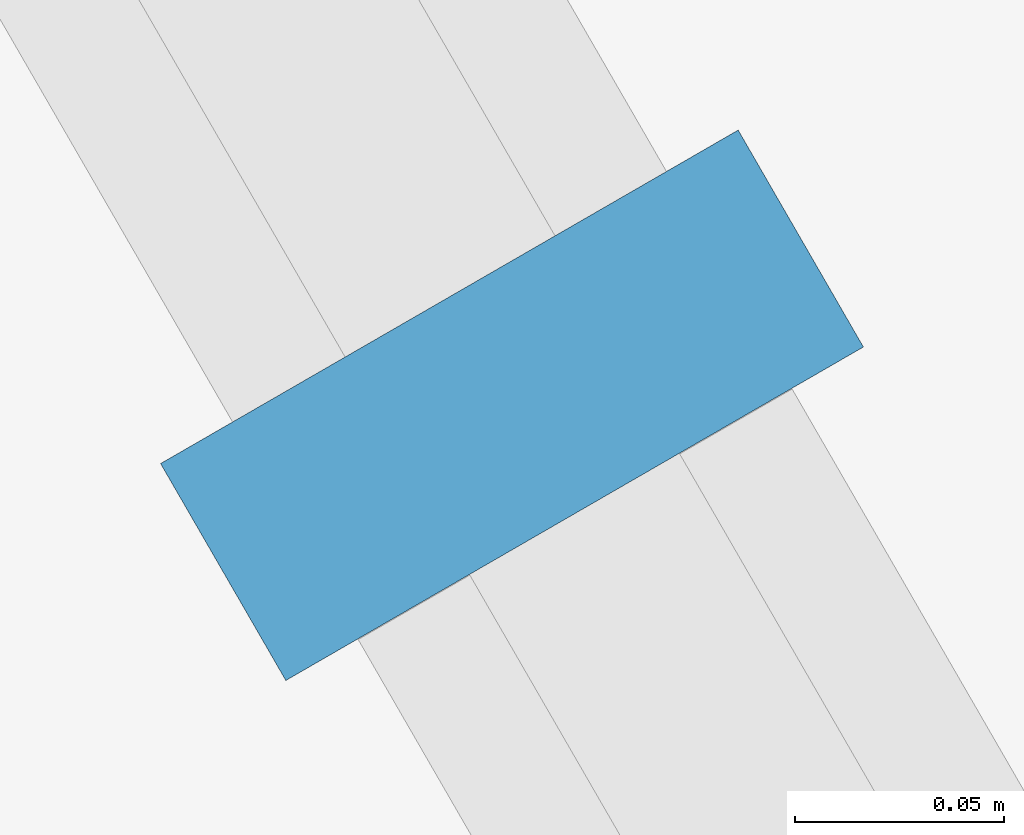
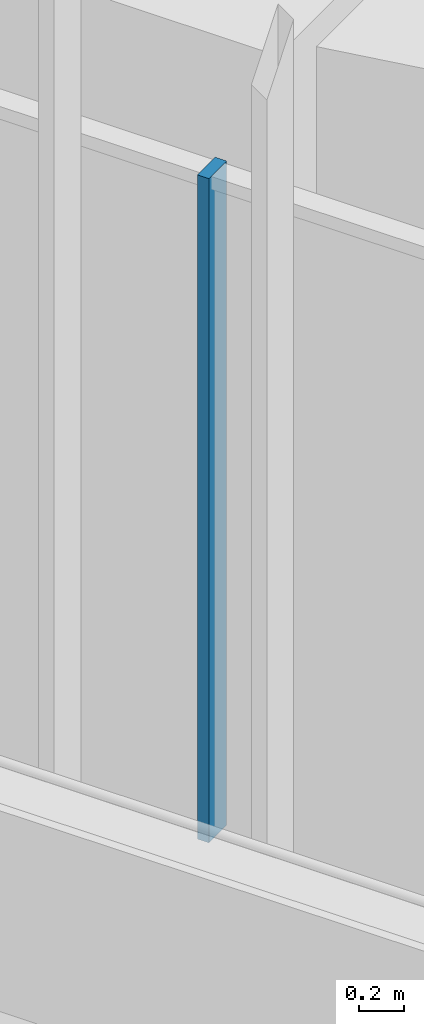
# One storey, part 11 of 127: 1 member, 1 element without a shape of its own.
"""IFC4 building model written with IfcOpenShell, lengths in metres."""

from ifc_helpers import new_model, si_unit, direction, frame, origin, origin_2d, place, context, subcontext, project, spatial, rectangle, extrude, material, material_profile, profile_set, type_object, element, aggregate, save


model = new_model("IFC4")

# Units and contexts
model_context = context("Model", 3, precision=1e-05, world=origin(), true_north=direction((0.0, 1.0)))
body_context = subcontext(model_context, "Body", "Model", "MODEL_VIEW")
ifc_project = project(units=[si_unit("LENGTHUNIT", "METRE"), si_unit("AREAUNIT", "SQUARE_METRE"), si_unit("VOLUMEUNIT", "CUBIC_METRE"), si_unit("PLANEANGLEUNIT", "RADIAN"), si_unit("MASSUNIT", "GRAM", prefix="KILO")], contexts=[model_context])

# Site, building, storey
site_placement = place(None, origin())
site = spatial("IfcSite", under=ifc_project, at=site_placement, CompositionType="ELEMENT")
building_placement = place(site_placement, origin())
building = spatial("IfcBuilding", under=site, at=building_placement, Name="Sandreach Pilgrim Tower", CompositionType="ELEMENT")
storey_placement = place(building_placement, frame((0.0, 0.0, 257.0)))
storey = spatial("IfcBuildingStorey", under=building, at=storey_placement, Name="L64", CompositionType="ELEMENT", Elevation=257.0)

# Curtain wall, member
ifc_material_1 = material(Name="Aluminium framed curtain wall", Category="aluminium")
curtain_wall_type = type_object("IfcCurtainWallType", Name="Suite tower curtain wall", PredefinedType="NOTDEFINED", material=ifc_material_1)
curtain_wall_placement = place(storey_placement, origin())
curtain_wall = element("IfcCurtainWall", 1, at=curtain_wall_placement, inside=storey, type_object=curtain_wall_type, Name="CW-4 L64 SW", PredefinedType="NOTDEFINED")
ifc_material_2 = material(Name="Aluminium extrusion", Category="aluminium")
ifc_material_profile = material_profile(ifc_material_2, rectangle(XDim=0.06005859375, YDim=0.159912109375, at=origin_2d()), Name="CW-4M 60X160")
ifc_profile_set = profile_set([ifc_material_profile], Name="Aluminium extrusion")
member_type = type_object("IfcMemberType", Name="CW-4 mullion", PredefinedType="MULLION", material=ifc_profile_set)
member_placement = place(storey_placement, frame((-10.83203125, -20.891357421875, 0.0), z_axis=(0.0, 0.0, 1.0), x_axis=(-0.5, 0.866025403784, 0.0)))
member = element("IfcMember", 2, at=member_placement, type_object=member_type, Name="CW-4 mullion 2", PredefinedType="MULLION", context=body_context, shape_type="SweptSolid", body=[
    extrude(rectangle(XDim=0.06005859375, YDim=0.159912109375, at=origin_2d()), origin(), (0.0, 0.0, 1.0), 3.639892578125),
])
aggregate(curtain_wall, [member])

save(model, "model.ifc")
